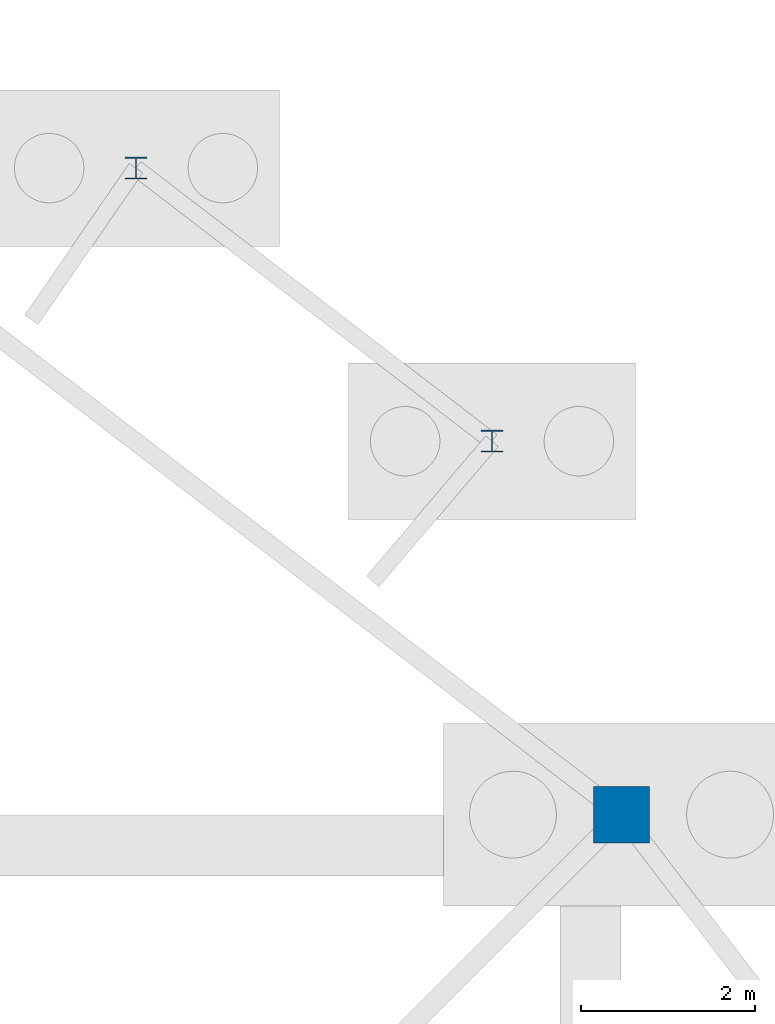
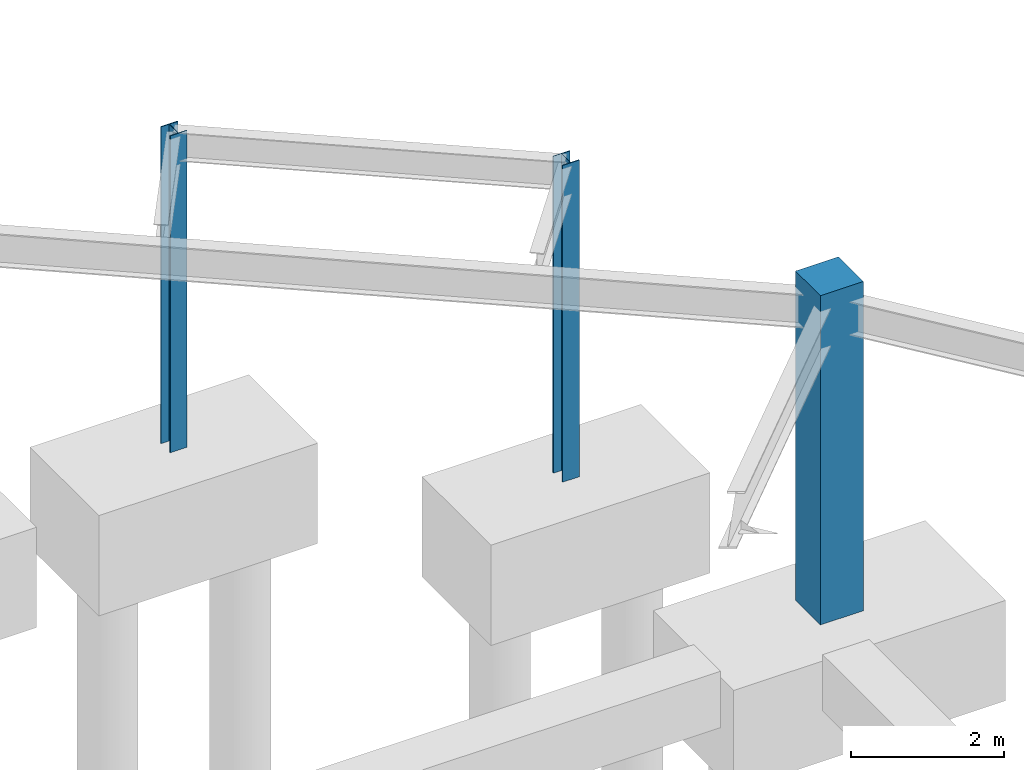
# One storey, part 26 of 55: 3 columns.
"""IFC4 building model written with IfcOpenShell, lengths in metres."""

from ifc_helpers import new_model, si_unit, direction, frame, origin, origin_2d, place, context, subcontext, project, spatial, rectangle, i_section, extrude, material, material_profile, profile_set, type_object, element, save


model = new_model("IFC4")

# Units and contexts
model_context = context("Model", 3, precision=1e-05, world=origin(), true_north=direction((0.0, 1.0)))
body_context = subcontext(model_context, "Body", "Model", "MODEL_VIEW")
ifc_project = project(units=[si_unit("LENGTHUNIT", "METRE"), si_unit("AREAUNIT", "SQUARE_METRE"), si_unit("VOLUMEUNIT", "CUBIC_METRE"), si_unit("PLANEANGLEUNIT", "RADIAN"), si_unit("MASSUNIT", "GRAM", prefix="KILO")], contexts=[model_context])

# Site, building, storey
site_placement = place(None, origin())
site = spatial("IfcSite", under=ifc_project, at=site_placement, CompositionType="ELEMENT")
building_placement = place(site_placement, origin())
building = spatial("IfcBuilding", under=site, at=building_placement, Name="Almandine Court Research Institute", CompositionType="ELEMENT")
storey_placement = place(building_placement, frame((0.0, 0.0, -5.25)))
storey = spatial("IfcBuildingStorey", under=building, at=storey_placement, Name="B1", CompositionType="ELEMENT", Elevation=-5.25)

# Columns
ifc_material_1 = material(Name="Concrete C40/50", Category="concrete")
ifc_material_profile_1 = material_profile(ifc_material_1, rectangle(XDim=0.64990234375, YDim=0.64990234375, at=origin_2d()), Name="RC 650x650")
ifc_profile_set_1 = profile_set([ifc_material_profile_1], Name="Concrete C40/50")
column_type_1 = type_object("IfcColumnType", Name="Col-C-RC2", PredefinedType="COLUMN", material=ifc_profile_set_1)
column_placement = place(storey_placement, frame((121.577880859375, 90.577880859375, 0.0), z_axis=(0.0, 0.0, 1.0), x_axis=(1.0, 0.0, 0.0)))
element("IfcColumn", 1, at=column_placement, inside=storey, type_object=column_type_1, Name="B1 V5 Column V5-OUT-S03", PredefinedType="COLUMN", context=body_context, shape_type="SweptSolid", body=[
    extrude(rectangle(XDim=0.64990234375, YDim=0.64990234375, at=origin_2d()), origin(), (0.0, 0.0, 1.0), 5.25),
])
ifc_material_2 = material(Name="Steel ASTM A992 Grade 50", Category="steel")
ifc_material_profile_2 = material_profile(ifc_material_2, i_section(OverallWidth=0.25390625, OverallDepth=0.2529296875, WebThickness=0.009033203125, FlangeThickness=0.013916015625, at=origin_2d()), Name="W250x73")
ifc_profile_set_2 = profile_set([ifc_material_profile_2], Name="Steel ASTM A992 Grade 50")
column_type_2 = type_object("IfcColumnType", Name="Col-C-W10", PredefinedType="COLUMN", material=ifc_profile_set_2)
for number, where, z_axis, x_axis, name in (
    (2, (120.0869140625, 94.876953125, 0.0), (0.0, 0.0, 1.0), (1.0, 0.0, 0.0), "B1 Exterior Threshold Support Column PAD-DRUM-S03-C1"),
    (3, (115.988037109375, 98.02099609375, 0.0), (0.0, 0.0, 1.0), (1.0, 0.0, 0.0), "B1 Exterior Threshold Support Column PAD-DRUM-S03-C2"),
):
    element("IfcColumn", number, at=place(storey_placement, frame(where, z_axis=z_axis, x_axis=x_axis)), inside=storey, type_object=column_type_2, Name=name, PredefinedType="COLUMN", context=body_context, shape_type="SweptSolid", body=[
        extrude(i_section(OverallWidth=0.25390625, OverallDepth=0.2529296875, WebThickness=0.009033203125, FlangeThickness=0.013916015625, at=origin_2d()), origin(), (0.0, 0.0, 1.0), 5.050048828125),
    ])

save(model, "model.ifc")
